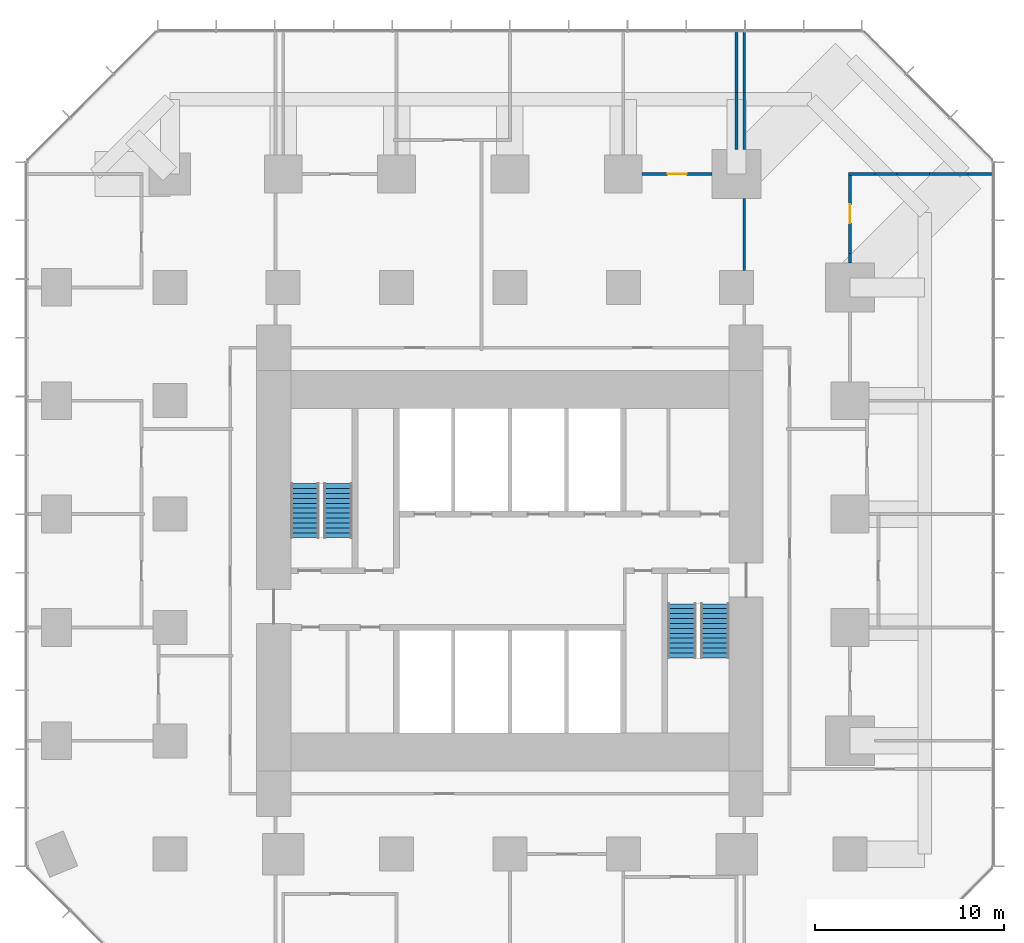
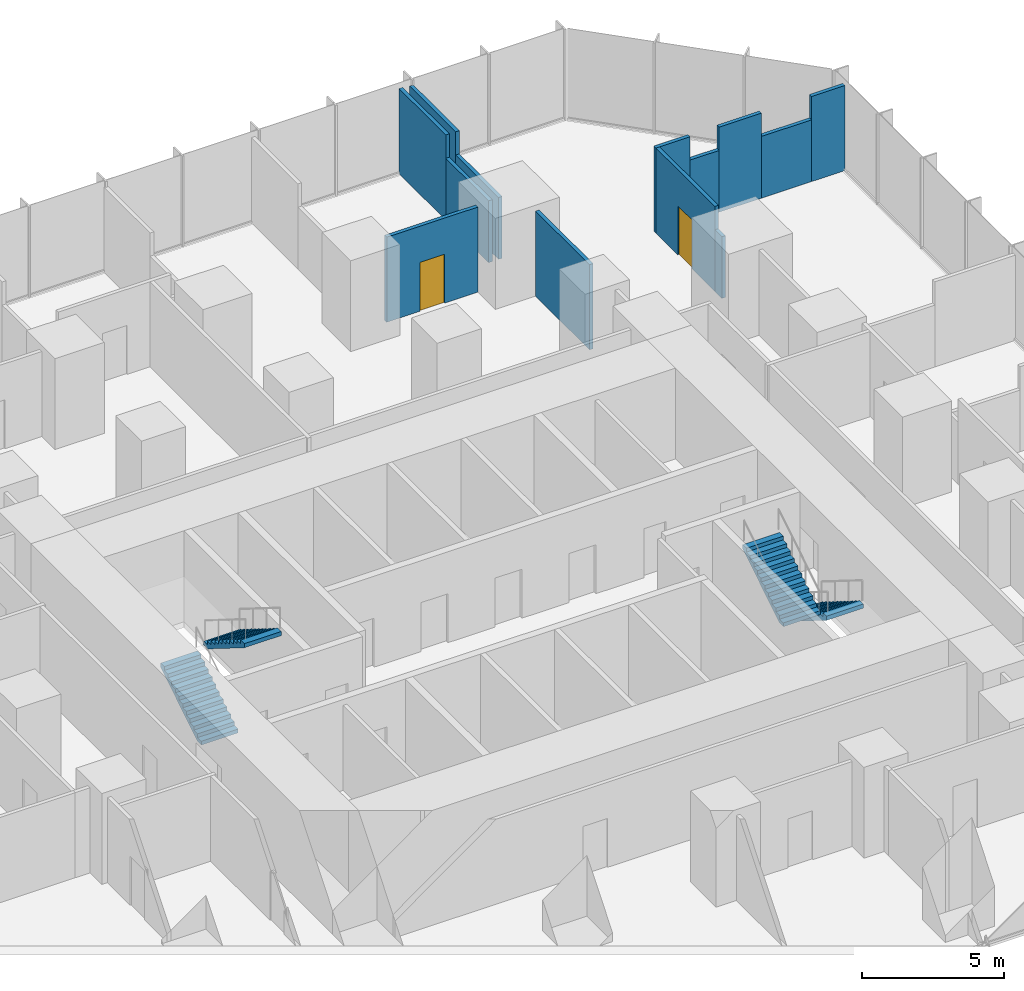
# One storey, part 11 of 12: 13 walls, 4 stair flights, 2 doors, 2 openings, 2 elements without a shape of their own.
"""IFC4 building model written with IfcOpenShell, lengths in metres."""

from ifc_helpers import new_model, si_unit, direction, frame, frame_2d, origin, place, context, subcontext, project, spatial, polyline, rectangle, outline, extrude, material, layer, layer_set, type_object, element, fill, aggregate, save


model = new_model("IFC4")

# Units and contexts
model_context = context("Model", 3, precision=1e-05, world=origin(), true_north=direction((0.0, 1.0)))
body_context = subcontext(model_context, "Body", "Model", "MODEL_VIEW")
ifc_project = project(units=[si_unit("LENGTHUNIT", "METRE"), si_unit("AREAUNIT", "SQUARE_METRE"), si_unit("VOLUMEUNIT", "CUBIC_METRE"), si_unit("PLANEANGLEUNIT", "RADIAN"), si_unit("MASSUNIT", "GRAM", prefix="KILO")], contexts=[model_context])

# Site, building, storey
site_placement = place(None, origin())
site = spatial("IfcSite", under=ifc_project, at=site_placement, CompositionType="ELEMENT")
building_placement = place(site_placement, origin())
building = spatial("IfcBuilding", under=site, at=building_placement, Name="Highveld Stack Headquarters", CompositionType="ELEMENT")
storey_placement = place(building_placement, frame((0.0, 0.0, 68.89990234375)))
storey = spatial("IfcBuildingStorey", under=building, at=storey_placement, Name="L16", CompositionType="ELEMENT", Elevation=68.89990234375)

# Wall, opening, door
ifc_material_1 = material(Name="Laminated glass in aluminium frame", Category="aluminium")
ifc_layer_1 = layer(ifc_material_1, 0.14990234375)
ifc_layer_set_1 = layer_set([ifc_layer_1], Name="Laminated glass in aluminium frame")
wall_type_1 = type_object("IfcWallType", Name="GLAZED PARTITION 150", PredefinedType="PARTITIONING", material=ifc_layer_set_1)
wall_1_placement = place(storey_placement, frame((13.0, 24.0, 0.0), z_axis=(0.0, 0.0, 1.0), x_axis=(1.0, 0.0, 0.0)))
wall_1 = element("IfcWall", 1, at=wall_1_placement, inside=storey, type_object=wall_type_1, Name="Glazed partition Meeting room L16", PredefinedType="PARTITIONING", context=body_context, shape_type="SweptSolid", body=[
    extrude(rectangle(XDim=3.699951171875, YDim=0.14990234375, at=frame_2d((1.85009765625, 0.0))), origin(), (0.0, 0.0, 1.0), 3.650146484375),
])
opening_1_placement = place(wall_1_placement, frame((1.35009765625, 0.0, 0.0)))
opening_1 = element("IfcOpeningElement", 2, at=opening_1_placement, cuts=wall_1, Name="Opening L16-24", PredefinedType="OPENING", context=body_context, shape_type="SweptSolid", body=[
    extrude(rectangle(XDim=1.0, YDim=2.10009765625, at=frame_2d((0.5, 1.050048828125))), frame((0.0, 0.0849609375, 0.0), z_axis=(0.0, -1.0, 0.0), x_axis=(1.0, 0.0, 0.0)), (0.0, 0.0, 1.0), 0.169921875),
])
ifc_material_2 = material(Name="Timber door, oiled ash", Category="wood")
door_type = type_object("IfcDoorType", Name="ROOM DOOR D6 1000x2100", OperationType="SINGLE_SWING_LEFT", PredefinedType="DOOR", material=ifc_material_2)
door_1_placement = place(opening_1_placement, origin())
door_1 = element("IfcDoor", 3, at=door_1_placement, inside=storey, type_object=door_type, Name="Meeting room door 1 L16", OperationType="SINGLE_SWING_RIGHT", OverallHeight=2.10009765625, OverallWidth=1.0, PredefinedType="DOOR", context=body_context, shape_type="SweptSolid", body=[
    extrude(rectangle(XDim=1.0, YDim=2.10009765625, at=frame_2d((0.5, 1.050048828125))), frame((0.0, 0.02490234375, 0.0), z_axis=(0.0, -1.0, 0.0), x_axis=(1.0, 0.0, 0.0)), (0.0, 0.0, 1.0), 0.050048828125),
])
fill(opening_1, door_1)

# Walls
ifc_material_3 = material(Name="Gypsum plasterboard on steel studs", Category="steel")
ifc_layer_2 = layer(ifc_material_3, 0.14990234375)
ifc_layer_set_2 = layer_set([ifc_layer_2], Name="Gypsum plasterboard on steel studs")
wall_type_2 = type_object("IfcWallType", Name="PARTITION 150 PLASTERBOARD", PredefinedType="PARTITIONING", material=ifc_layer_set_2)
wall_2_placement = place(storey_placement, frame((23.925048828125, 24.0, 0.0), z_axis=(0.0, 0.0, 1.0), x_axis=(1.0, 0.0, 0.0)))
element("IfcWall", 4, at=wall_2_placement, inside=storey, type_object=wall_type_2, Name="Partition Team office L16", PredefinedType="PARTITIONING", context=body_context, shape_type="SweptSolid", body=[
    extrude(rectangle(XDim=1.385009765625, YDim=0.14990234375, at=frame_2d((0.6923828125, 0.0))), origin(), (0.0, 0.0, 1.0), 3.650146484375),
])
wall_3_placement = place(storey_placement, frame((25.31005859375, 24.0, 0.0), z_axis=(0.0, 0.0, 1.0), x_axis=(1.0, 0.0, 0.0)))
element("IfcWall", 5, at=wall_3_placement, inside=storey, type_object=wall_type_2, Name="Partition Team office L16", PredefinedType="PARTITIONING", context=body_context, shape_type="SweptSolid", body=[
    extrude(rectangle(XDim=1.179931640625, YDim=0.14990234375, at=frame_2d((0.58984375, 0.0))), origin(), (0.0, 0.0, 1.0), 2.650146484375),
])
wall_4_placement = place(storey_placement, frame((26.489990234375, 24.0, 0.0), z_axis=(0.0, 0.0, 1.0), x_axis=(1.0, 0.0, 0.0)))
element("IfcWall", 6, at=wall_4_placement, inside=storey, type_object=wall_type_2, Name="Partition Team office L16", PredefinedType="PARTITIONING", context=body_context, shape_type="SweptSolid", body=[
    extrude(rectangle(XDim=1.718017578125, YDim=0.14990234375, at=frame_2d((0.85888671875, 0.0))), origin(), (0.0, 0.0, 1.0), 3.650146484375),
])
wall_5_placement = place(storey_placement, frame((28.2080078125, 24.0, 0.0), z_axis=(0.0, 0.0, 1.0), x_axis=(1.0, 0.0, 0.0)))
element("IfcWall", 7, at=wall_5_placement, inside=storey, type_object=wall_type_2, Name="Partition Team office L16", PredefinedType="PARTITIONING", context=body_context, shape_type="SweptSolid", body=[
    extrude(rectangle(XDim=2.029052734375, YDim=0.14990234375, at=frame_2d((1.0146484375, 0.0))), origin(), (0.0, 0.0, 1.0), 2.650146484375),
])
wall_6_placement = place(storey_placement, frame((30.237060546875, 24.0, 0.0), z_axis=(0.0, 0.0, 1.0), x_axis=(1.0, 0.0, 0.0)))
element("IfcWall", 8, at=wall_6_placement, inside=storey, type_object=wall_type_2, Name="Partition Team office L16", PredefinedType="PARTITIONING", context=body_context, shape_type="SweptSolid", body=[
    extrude(rectangle(XDim=1.363037109375, YDim=0.14990234375, at=frame_2d((0.681640625, 0.0))), origin(), (0.0, 0.0, 1.0), 3.650146484375),
])
wall_7_placement = place(storey_placement, frame((18.0, 25.300048828125, 0.0), z_axis=(0.0, 0.0, 1.0), x_axis=(0.0, 1.0, 0.0)))
element("IfcWall", 9, at=wall_7_placement, inside=storey, type_object=wall_type_2, Name="Partition Meeting room L16", PredefinedType="PARTITIONING", context=body_context, shape_type="SweptSolid", body=[
    extrude(rectangle(XDim=3.010009765625, YDim=0.14990234375, at=frame_2d((1.5048828125, 0.0))), origin(), (0.0, 0.0, 1.0), 2.650146484375),
])
wall_8_placement = place(storey_placement, frame((18.0, 28.31005859375, 0.0), z_axis=(0.0, 0.0, 1.0), x_axis=(0.0, 1.0, 0.0)))
element("IfcWall", 10, at=wall_8_placement, inside=storey, type_object=wall_type_2, Name="Partition Meeting room L16", PredefinedType="PARTITIONING", context=body_context, shape_type="SweptSolid", body=[
    extrude(rectangle(XDim=3.2900390625, YDim=0.14990234375, at=frame_2d((1.64501953125, 0.0))), origin(), (0.0, 0.0, 1.0), 3.650146484375),
])
wall_9_placement = place(storey_placement, frame((24.0, 19.300048828125, 0.0), z_axis=(0.0, 0.0, 1.0), x_axis=(0.0, 1.0, 0.0)))
element("IfcWall", 11, at=wall_9_placement, inside=storey, type_object=wall_type_2, Name="Partition Team office L16", PredefinedType="PARTITIONING", context=body_context, shape_type="SweptSolid", body=[
    extrude(rectangle(XDim=0.491943359375, YDim=0.14990234375, at=frame_2d((0.24609375, 0.0))), origin(), (0.0, 0.0, 1.0), 2.650146484375),
])

# Wall, opening, door
wall_10_placement = place(storey_placement, frame((24.0, 19.7919921875, 0.0), z_axis=(0.0, 0.0, 1.0), x_axis=(0.0, 1.0, 0.0)))
wall_10 = element("IfcWall", 12, at=wall_10_placement, inside=storey, type_object=wall_type_2, Name="Partition Team office L16", PredefinedType="PARTITIONING", context=body_context, shape_type="SweptSolid", body=[
    extrude(rectangle(XDim=4.133056640625, YDim=0.14990234375, at=frame_2d((2.06640625, 0.0))), origin(), (0.0, 0.0, 1.0), 3.650146484375),
])
opening_2_placement = place(wall_10_placement, frame((1.60400390625, 0.0, 0.0)))
opening_2 = element("IfcOpeningElement", 13, at=opening_2_placement, cuts=wall_10, Name="Opening L16-21", PredefinedType="OPENING", context=body_context, shape_type="SweptSolid", body=[
    extrude(rectangle(XDim=1.0, YDim=2.10009765625, at=frame_2d((0.5, 1.050048828125))), frame((0.0, 0.0849609375, 0.0), z_axis=(0.0, -1.0, 0.0), x_axis=(1.0, 0.0, 0.0)), (0.0, 0.0, 1.0), 0.169921875),
])
door_2_placement = place(opening_2_placement, origin())
door_2 = element("IfcDoor", 14, at=door_2_placement, inside=storey, type_object=door_type, Name="Team office door 1 L16", OperationType="SINGLE_SWING_RIGHT", OverallHeight=2.10009765625, OverallWidth=1.0, PredefinedType="DOOR", context=body_context, shape_type="SweptSolid", body=[
    extrude(rectangle(XDim=1.0, YDim=2.10009765625, at=frame_2d((0.5, 1.050048828125))), frame((0.0, 0.02490234375, 0.0), z_axis=(0.0, -1.0, 0.0), x_axis=(1.0, 0.0, 0.0)), (0.0, 0.0, 1.0), 0.050048828125),
])
fill(opening_2, door_2)

# Walls
wall_11_placement = place(storey_placement, frame((18.39990234375, 18.89990234375, 0.0), z_axis=(0.0, 0.0, 1.0), x_axis=(0.0, 1.0, 0.0)))
element("IfcWall", 15, at=wall_11_placement, inside=storey, type_object=wall_type_2, Name="Partition office neighbourhood L16", PredefinedType="PARTITIONING", context=body_context, shape_type="SweptSolid", body=[
    extrude(rectangle(XDim=3.800048828125, YDim=0.14990234375, at=frame_2d((1.89990234375, 0.0))), origin(), (0.0, 0.0, 1.0), 3.650146484375),
])
wall_12_placement = place(storey_placement, frame((18.39990234375, 25.300048828125, 0.0), z_axis=(0.0, 0.0, 1.0), x_axis=(0.0, 1.0, 0.0)))
element("IfcWall", 16, at=wall_12_placement, inside=storey, type_object=wall_type_2, Name="Partition office neighbourhood L16", PredefinedType="PARTITIONING", context=body_context, shape_type="SweptSolid", body=[
    extrude(rectangle(XDim=3.010009765625, YDim=0.14990234375, at=frame_2d((1.5048828125, 0.0))), origin(), (0.0, 0.0, 1.0), 2.650146484375),
])
wall_13_placement = place(storey_placement, frame((18.39990234375, 28.31005859375, 0.0), z_axis=(0.0, 0.0, 1.0), x_axis=(0.0, 1.0, 0.0)))
element("IfcWall", 17, at=wall_13_placement, inside=storey, type_object=wall_type_2, Name="Partition office neighbourhood L16", PredefinedType="PARTITIONING", context=body_context, shape_type="SweptSolid", body=[
    extrude(rectangle(XDim=3.239990234375, YDim=0.14990234375, at=frame_2d((1.6201171875, 0.0))), origin(), (0.0, 0.0, 1.0), 3.650146484375),
])

# Stair, stair flights
ifc_material_4 = material(Name="Concrete C40/50, precast", Category="concrete")
stair_type_1 = type_object("IfcStairType", Name="STAIR S1 HALF TURN 1500", PredefinedType="HALF_TURN_STAIR", material=ifc_material_4)
stair_1_placement = place(storey_placement, origin())
stair_1 = element("IfcStair", 18, at=stair_1_placement, inside=storey, type_object=stair_type_1, Name="Stair S1 L16", PredefinedType="HALF_TURN_STAIR")
ifc_material_5 = material(Name="Concrete C40/50, precast", Category="concrete")
stair_flight_type = type_object("IfcStairFlightType", Name="STAIR FLIGHT 1500 PRECAST", PredefinedType="STRAIGHT", material=ifc_material_5)
stair_flight_1_placement = place(storey_placement, frame((-4.85009765625, 4.75, 0.0), z_axis=(0.0, 0.0, 1.0), x_axis=(0.0, 1.0, 0.0)))
stair_flight_1 = element("IfcStairFlight", 19, at=stair_flight_1_placement, type_object=stair_flight_type, Name="S1 flight 1", NumberOfRisers=12, NumberOfTreads=11, PredefinedType="STRAIGHT", RiserHeight=0.1625, TreadLength=0.26, context=body_context, shape_type="SweptSolid", body=[
    extrude(outline(polyline([(0.0, 0.0), (0.0, 0.16259765625), (0.260009765625, 0.16259765625), (0.260009765625, 0.324951171875), (0.52001953125, 0.324951171875), (0.52001953125, 0.487548828125), (0.780029296875, 0.487548828125), (0.780029296875, 0.64990234375), (1.0400390625, 0.64990234375), (1.0400390625, 0.8125), (1.300048828125, 0.8125), (1.300048828125, 0.97509765625), (1.56005859375, 0.97509765625), (1.56005859375, 1.137451171875), (1.820068359375, 1.137451171875), (1.820068359375, 1.300048828125), (2.080078125, 1.300048828125), (2.080078125, 1.46240234375), (2.340087890625, 1.46240234375), (2.340087890625, 1.625), (2.60009765625, 1.625), (2.60009765625, 1.78759765625), (2.860107421875, 1.78759765625), (2.860107421875, 1.949951171875), (2.860107421875, 1.61083984375), (0.28271484375, 0.0), (0.0, 0.0)])), frame((0.0, 0.75, 0.0), z_axis=(0.0, -1.0, 0.0), x_axis=(1.0, 0.0, 0.0)), (0.0, 0.0, 1.0), 1.5),
])
stair_flight_2_placement = place(storey_placement, frame((-3.10009765625, 7.610107421875, 1.9501953125), z_axis=(0.0, 0.0, 1.0), x_axis=(0.0, -1.0, 0.0)))
stair_flight_2 = element("IfcStairFlight", 20, at=stair_flight_2_placement, type_object=stair_flight_type, Name="S1 flight 2", NumberOfRisers=12, NumberOfTreads=11, PredefinedType="STRAIGHT", RiserHeight=0.1625, TreadLength=0.26, context=body_context, shape_type="SweptSolid", body=[
    extrude(outline(polyline([(0.0, 0.0), (0.0, 0.16259765625), (0.260009765625, 0.16259765625), (0.260009765625, 0.324951171875), (0.52001953125, 0.324951171875), (0.52001953125, 0.487548828125), (0.780029296875, 0.487548828125), (0.780029296875, 0.64990234375), (1.0400390625, 0.64990234375), (1.0400390625, 0.8125), (1.300048828125, 0.8125), (1.300048828125, 0.97509765625), (1.56005859375, 0.97509765625), (1.56005859375, 1.137451171875), (1.820068359375, 1.137451171875), (1.820068359375, 1.300048828125), (2.080078125, 1.300048828125), (2.080078125, 1.46240234375), (2.340087890625, 1.46240234375), (2.340087890625, 1.625), (2.60009765625, 1.625), (2.60009765625, 1.78759765625), (2.860107421875, 1.78759765625), (2.860107421875, 1.949951171875), (2.860107421875, 1.61083984375), (0.28271484375, 0.0), (0.0, 0.0)])), frame((0.0, 0.75, 0.0), z_axis=(0.0, -1.0, 0.0), x_axis=(1.0, 0.0, 0.0)), (0.0, 0.0, 1.0), 1.5),
])
aggregate(stair_1, [stair_flight_1, stair_flight_2])

ifc_material_6 = material(Name="Concrete C40/50, precast", Category="concrete")
stair_type_2 = type_object("IfcStairType", Name="STAIR S2 HALF TURN 1500", PredefinedType="HALF_TURN_STAIR", material=ifc_material_6)
stair_2_placement = place(storey_placement, origin())
stair_2 = element("IfcStair", 21, at=stair_2_placement, inside=storey, type_object=stair_type_2, Name="Stair S2 L16", PredefinedType="HALF_TURN_STAIR")
stair_flight_3_placement = place(storey_placement, frame((16.85009765625, 1.25, 0.0), z_axis=(0.0, 0.0, 1.0), x_axis=(0.0, -1.0, 0.0)))
stair_flight_3 = element("IfcStairFlight", 22, at=stair_flight_3_placement, type_object=stair_flight_type, Name="S2 flight 1", NumberOfRisers=12, NumberOfTreads=11, PredefinedType="STRAIGHT", RiserHeight=0.1625, TreadLength=0.26, context=body_context, shape_type="SweptSolid", body=[
    extrude(outline(polyline([(0.0, 0.0), (0.0, 0.16259765625), (0.260009765625, 0.16259765625), (0.260009765625, 0.324951171875), (0.52001953125, 0.324951171875), (0.52001953125, 0.487548828125), (0.780029296875, 0.487548828125), (0.780029296875, 0.64990234375), (1.0400390625, 0.64990234375), (1.0400390625, 0.8125), (1.300048828125, 0.8125), (1.300048828125, 0.97509765625), (1.56005859375, 0.97509765625), (1.56005859375, 1.137451171875), (1.820068359375, 1.137451171875), (1.820068359375, 1.300048828125), (2.080078125, 1.300048828125), (2.080078125, 1.46240234375), (2.340087890625, 1.46240234375), (2.340087890625, 1.625), (2.60009765625, 1.625), (2.60009765625, 1.78759765625), (2.860107421875, 1.78759765625), (2.860107421875, 1.949951171875), (2.860107421875, 1.61083984375), (0.28271484375, 0.0), (0.0, 0.0)])), frame((0.0, 0.75, 0.0), z_axis=(0.0, -1.0, 0.0), x_axis=(1.0, 0.0, 0.0)), (0.0, 0.0, 1.0), 1.5),
])
stair_flight_4_placement = place(storey_placement, frame((15.10009765625, -1.610107421875, 1.9501953125), z_axis=(0.0, 0.0, 1.0), x_axis=(0.0, 1.0, 0.0)))
stair_flight_4 = element("IfcStairFlight", 23, at=stair_flight_4_placement, type_object=stair_flight_type, Name="S2 flight 2", NumberOfRisers=12, NumberOfTreads=11, PredefinedType="STRAIGHT", RiserHeight=0.1625, TreadLength=0.26, context=body_context, shape_type="SweptSolid", body=[
    extrude(outline(polyline([(0.0, 0.0), (0.0, 0.16259765625), (0.260009765625, 0.16259765625), (0.260009765625, 0.324951171875), (0.52001953125, 0.324951171875), (0.52001953125, 0.487548828125), (0.780029296875, 0.487548828125), (0.780029296875, 0.64990234375), (1.0400390625, 0.64990234375), (1.0400390625, 0.8125), (1.300048828125, 0.8125), (1.300048828125, 0.97509765625), (1.56005859375, 0.97509765625), (1.56005859375, 1.137451171875), (1.820068359375, 1.137451171875), (1.820068359375, 1.300048828125), (2.080078125, 1.300048828125), (2.080078125, 1.46240234375), (2.340087890625, 1.46240234375), (2.340087890625, 1.625), (2.60009765625, 1.625), (2.60009765625, 1.78759765625), (2.860107421875, 1.78759765625), (2.860107421875, 1.949951171875), (2.860107421875, 1.61083984375), (0.28271484375, 0.0), (0.0, 0.0)])), frame((0.0, 0.75, 0.0), z_axis=(0.0, -1.0, 0.0), x_axis=(1.0, 0.0, 0.0)), (0.0, 0.0, 1.0), 1.5),
])
aggregate(stair_2, [stair_flight_3, stair_flight_4])

save(model, "model.ifc")
